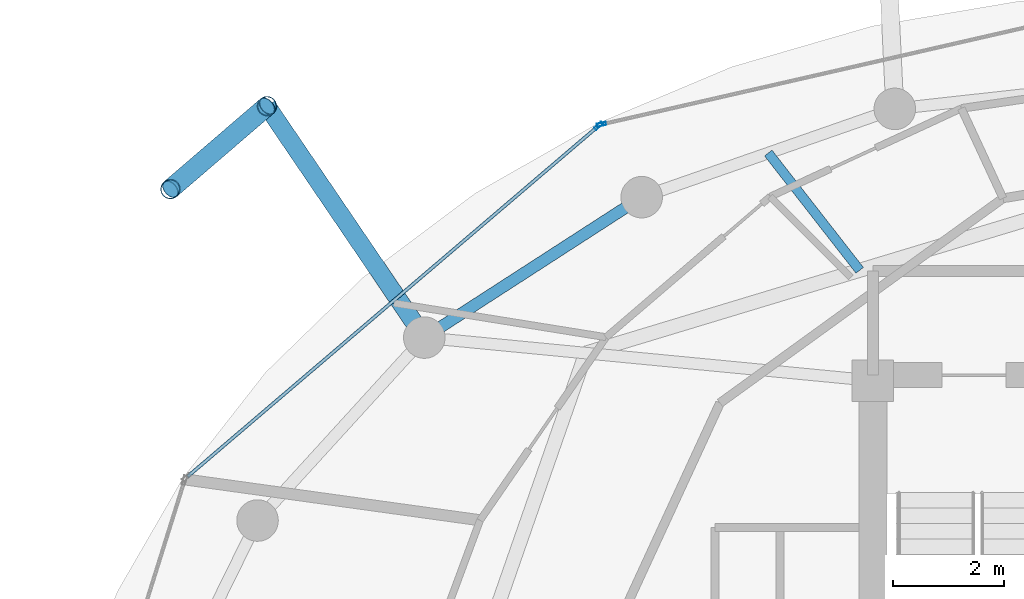
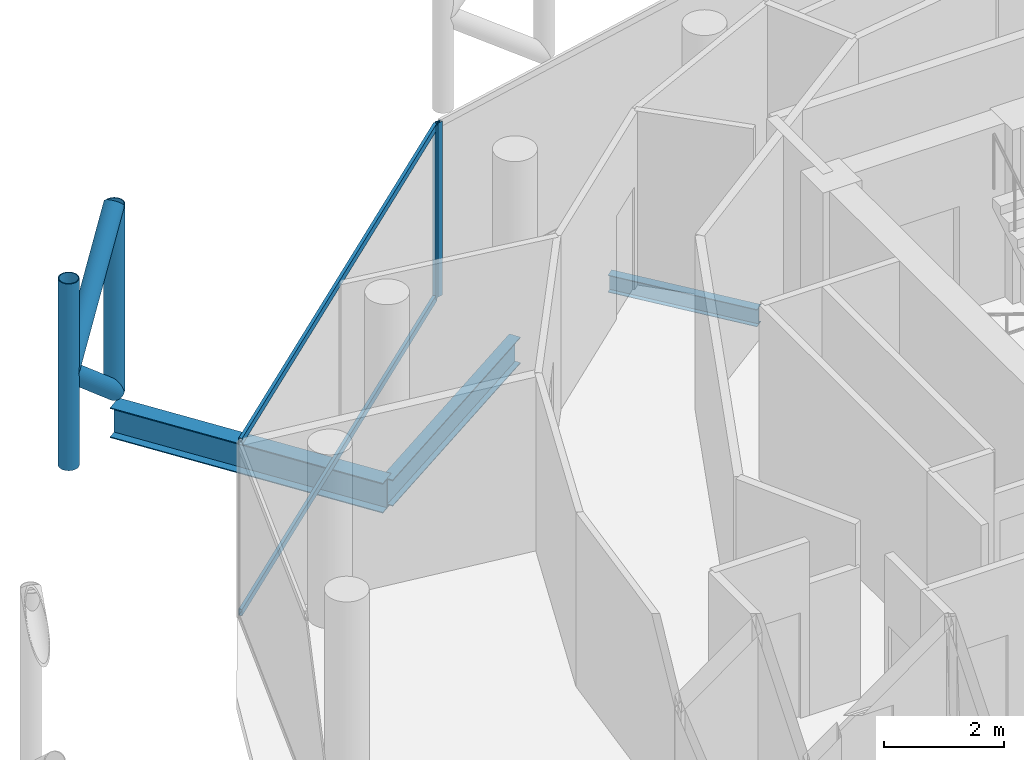
# One storey, part 15 of 24: 8 members, 3 beams, 2 elements without a shape of their own.
"""IFC4 building model written with IfcOpenShell, lengths in metres."""

from ifc_helpers import new_model, si_unit, direction, frame, origin, origin_2d, place, context, subcontext, project, spatial, hollow_rectangle, hollow_circle, i_section, extrude, material, layer, layer_set, material_profile, profile_set, type_object, element, aggregate, save


model = new_model("IFC4")

# Units and contexts
model_context = context("Model", 3, precision=1e-05, world=origin(), true_north=direction((0.0, 1.0)))
body_context = subcontext(model_context, "Body", "Model", "MODEL_VIEW")
ifc_project = project(units=[si_unit("LENGTHUNIT", "METRE"), si_unit("AREAUNIT", "SQUARE_METRE"), si_unit("VOLUMEUNIT", "CUBIC_METRE"), si_unit("PLANEANGLEUNIT", "RADIAN"), si_unit("MASSUNIT", "GRAM", prefix="KILO")], contexts=[model_context])

# Site, building, storey
site_placement = place(None, origin())
site = spatial("IfcSite", under=ifc_project, at=site_placement, CompositionType="ELEMENT")
building_placement = place(site_placement, origin())
building = spatial("IfcBuilding", under=site, at=building_placement, Name="Nuhasar Tower", CompositionType="ELEMENT")
storey_placement = place(building_placement, frame((0.0, 0.0, 270.800048828125)))
storey = spatial("IfcBuildingStorey", under=building, at=storey_placement, Name="L67", CompositionType="ELEMENT", Elevation=270.800048828125)

# Beams
ifc_material_1 = material(Name="Steel S355", Category="steel")
ifc_material_profile_1 = material_profile(ifc_material_1, i_section(OverallWidth=0.1708984375, OverallDepth=0.35205078125, WebThickness=0.0068359375, FlangeThickness=0.009765625, at=origin_2d()), Name="W14X30")
ifc_profile_set_1 = profile_set([ifc_material_profile_1], Name="Steel S355")
beam_type_1 = type_object("IfcBeamType", Name="BM-JST-W14X30", PredefinedType="JOIST", material=ifc_profile_set_1)
beam_1_placement = place(storey_placement, frame((33.4609375, 39.29296875, -0.43603515625), z_axis=(-0.614953767351, 0.788563164256, 0.0), x_axis=(-0.788563164256, -0.614953767351, 0.0)))
element("IfcBeam", 1, at=beam_1_placement, inside=storey, type_object=beam_type_1, Name="L67 Secondary Floor Joist 06", PredefinedType="JOIST", context=body_context, shape_type="SweptSolid", body=[
    extrude(i_section(OverallWidth=0.1708984375, OverallDepth=0.35205078125, WebThickness=0.0068359375, FlangeThickness=0.009765625, at=origin_2d()), origin(), (0.0, 0.0, 1.0), 2.6845703125),
])
ifc_material_profile_2 = material_profile(ifc_material_1, i_section(OverallWidth=0.2099609375, OverallDepth=0.537109375, WebThickness=0.010986328125, FlangeThickness=0.017333984375, at=origin_2d()), Name="W21X68")
ifc_profile_set_2 = profile_set([ifc_material_profile_2], Name="Steel S355")
beam_type_2 = type_object("IfcBeamType", Name="BM-RING-W21X68", PredefinedType="SPANDREL", material=ifc_profile_set_2)
beam_2_placement = place(storey_placement, frame((29.52490234375, 40.613037109375, -0.528076171875), z_axis=(-0.840001671147, -0.54258381147, 0.0), x_axis=(0.54258381147, -0.840001671147, 0.0)))
element("IfcBeam", 2, at=beam_2_placement, inside=storey, type_object=beam_type_2, Name="L67 Perimeter Ring Spandrel 09", PredefinedType="SPANDREL", context=body_context, shape_type="SweptSolid", body=[
    extrude(i_section(OverallWidth=0.2099609375, OverallDepth=0.537109375, WebThickness=0.010986328125, FlangeThickness=0.017333984375, at=origin_2d()), origin(), (0.0, 0.0, 1.0), 4.67236328125),
])
ifc_material_profile_3 = material_profile(ifc_material_1, i_section(OverallWidth=0.323974609375, OverallDepth=0.611083984375, WebThickness=0.0126953125, FlangeThickness=0.01904296875, at=origin_2d()), Name="W24X104")
ifc_profile_set_3 = profile_set([ifc_material_profile_3], Name="Steel S355")
beam_type_3 = type_object("IfcBeamType", Name="BM-TIE-W24X104", PredefinedType="BEAM", material=ifc_profile_set_3)
beam_3_placement = place(storey_placement, frame((25.60009765625, 38.077880859375, -0.56494140625), z_axis=(-0.562070792096, 0.827089127405, 0.0), x_axis=(-0.827089127405, -0.562070792096, 0.0)))
element("IfcBeam", 3, at=beam_3_placement, inside=storey, type_object=beam_type_3, Name="L67 Exoskeleton Node Tie Beam 05", PredefinedType="BEAM", context=body_context, shape_type="SweptSolid", body=[
    extrude(i_section(OverallWidth=0.323974609375, OverallDepth=0.611083984375, WebThickness=0.0126953125, FlangeThickness=0.01904296875, at=origin_2d()), origin(), (0.0, 0.0, 1.0), 5.052978515625),
])

# Curtain wall, member
ifc_material_2 = material(Name="Aluminium 6063-T6", Category="aluminium")
ifc_layer = layer(ifc_material_2, 0.18994140625)
ifc_layer_set = layer_set([ifc_layer], Name="Aluminium 6063-T6")
curtain_wall_type = type_object("IfcCurtainWallType", Name="CW-Z4-PEN", PredefinedType="NOTDEFINED", material=ifc_layer_set)
curtain_wall_1_placement = place(storey_placement, origin())
curtain_wall_1 = element("IfcCurtainWall", 4, at=curtain_wall_1_placement, inside=storey, type_object=curtain_wall_type, Name="L67 Unitised Curtain Wall 04", PredefinedType="NOTDEFINED")
ifc_material_profile_4 = material_profile(ifc_material_2, hollow_rectangle(XDim=0.06005859375, YDim=0.1650390625, WallThickness=0.0048828125, at=origin_2d()), Name="CWM-5")
ifc_profile_set_4 = profile_set([ifc_material_profile_4], Name="Aluminium 6063-T6")
member_type_1 = type_object("IfcMemberType", Name="CW-MUL-S5", PredefinedType="MULLION", material=ifc_profile_set_4)
member_1_placement = place(storey_placement, frame((28.79931640625, 41.927734375, 0.0), z_axis=(0.0, 0.0, 1.0), x_axis=(0.222889487645, -0.97484371891, 0.0)))
member_1 = element("IfcMember", 5, at=member_1_placement, type_object=member_type_1, Name="CW-Z4 mullion 2", PredefinedType="MULLION", context=body_context, shape_type="SweptSolid", body=[
    extrude(hollow_rectangle(XDim=0.06005859375, YDim=0.1650390625, WallThickness=0.0048828125, at=origin_2d()), origin(), (0.0, 0.0, 1.0), 3.5400390625),
])
aggregate(curtain_wall_1, [member_1])

# Curtain wall, members
curtain_wall_2_placement = place(storey_placement, origin())
curtain_wall_2 = element("IfcCurtainWall", 6, at=curtain_wall_2_placement, inside=storey, type_object=curtain_wall_type, Name="L67 Unitised Curtain Wall 05", PredefinedType="NOTDEFINED")
member_2_placement = place(storey_placement, frame((28.7470703125, 41.901611328125, 0.0), z_axis=(0.0, 0.0, 1.0), x_axis=(0.649141996205, -0.760667252327, 0.0)))
member_2 = element("IfcMember", 7, at=member_2_placement, type_object=member_type_1, Name="CW-Z4 mullion 1", PredefinedType="MULLION", context=body_context, shape_type="SweptSolid", body=[
    extrude(hollow_rectangle(XDim=0.06005859375, YDim=0.1650390625, WallThickness=0.0048828125, at=origin_2d()), origin(), (0.0, 0.0, 1.0), 3.5400390625),
])
ifc_material_profile_5 = material_profile(ifc_material_2, hollow_rectangle(XDim=0.06005859375, YDim=0.135009765625, WallThickness=0.00439453125, at=origin_2d()), Name="CWT-5")
ifc_profile_set_5 = profile_set([ifc_material_profile_5], Name="Aluminium 6063-T6")
member_type_2 = type_object("IfcMemberType", Name="CW-TRN-S5", PredefinedType="USERDEFINED", material=ifc_profile_set_5)
member_3_placement = place(storey_placement, frame((28.724365234375, 41.882080078125, 0.030029296875), z_axis=(-0.760660035709, -0.649150452573, 0.0), x_axis=(0.649150452573, -0.760660035709, 0.0)))
member_3 = element("IfcMember", 8, at=member_3_placement, type_object=member_type_2, Name="CW-Z4 transom 1.1", ObjectType="TRANSOM", PredefinedType="USERDEFINED", context=body_context, shape_type="SweptSolid", body=[
    extrude(hollow_rectangle(XDim=0.06005859375, YDim=0.135009765625, WallThickness=0.00439453125, at=origin_2d()), origin(), (0.0, 0.0, 1.0), 9.725341796875),
])
member_4_placement = place(storey_placement, frame((28.724365234375, 41.882080078125, 3.510009765625), z_axis=(-0.760660035709, -0.649150452573, 0.0), x_axis=(0.649150452573, -0.760660035709, 0.0)))
member_4 = element("IfcMember", 9, at=member_4_placement, type_object=member_type_2, Name="CW-Z4 transom 1.2", ObjectType="TRANSOM", PredefinedType="USERDEFINED", context=body_context, shape_type="SweptSolid", body=[
    extrude(hollow_rectangle(XDim=0.06005859375, YDim=0.135009765625, WallThickness=0.00439453125, at=origin_2d()), origin(), (0.0, 0.0, 1.0), 9.725341796875),
])
aggregate(curtain_wall_2, [member_2, member_3, member_4])

# Members
ifc_material_3 = material(Name="Steel S460", Category="steel")
ifc_material_profile_6 = material_profile(ifc_material_3, hollow_circle(Radius=0.177734375, WallThickness=0.015869140625, at=origin_2d()), Name="HSS355.6X15.9")
ifc_profile_set_6 = profile_set([ifc_material_profile_6], Name="Steel S460")
member_type_3 = type_object("IfcMemberType", Name="EXO-BRONZE-356", PredefinedType="BRACE", material=ifc_profile_set_6)
for number, where, z_axis, x_axis, name in (
    (10, (22.760009765625, 42.257080078125, 0.0), (0.0, 0.0, 1.0), (1.0, 0.0, 0.0), "L67 Exoskeleton Chord Column EC-05A"),
    (11, (21.01611328125, 40.758056640625, 0.0), (0.0, 0.0, 1.0), (1.0, 0.0, 0.0), "L67 Exoskeleton Chord Column EC-05B"),
):
    element("IfcMember", number, at=place(storey_placement, frame(where, z_axis=z_axis, x_axis=x_axis)), inside=storey, type_object=member_type_3, Name=name, PredefinedType="BRACE", context=body_context, shape_type="SweptSolid", body=[
        extrude(hollow_circle(Radius=0.177734375, WallThickness=0.015869140625, at=origin_2d()), origin(), (0.0, 0.0, 1.0), 3.800048828125),
    ])
member_5_placement = place(storey_placement, frame((22.760009765625, 42.257080078125, 0.0), z_axis=(-0.584625223306, -0.502533791278, 0.636924749792), x_axis=(0.65185738425, -0.758341579104, 0.0)))
element("IfcMember", 12, at=member_5_placement, inside=storey, type_object=member_type_3, Name="L67 Bronze Diagrid Brace W1-05", PredefinedType="BRACE", context=body_context, shape_type="SweptSolid", body=[
    extrude(hollow_circle(Radius=0.177734375, WallThickness=0.015869140625, at=origin_2d()), origin(), (0.0, 0.0, 1.0), 2.98291015625),
])
member_6_placement = place(storey_placement, frame((21.01611328125, 40.758056640625, 1.89990234375), z_axis=(0.584594747408, 0.50250759472, 0.636973389203), x_axis=(-0.65185738425, 0.758341579104, 0.0)))
element("IfcMember", 13, at=member_6_placement, inside=storey, type_object=member_type_3, Name="L67 Bronze Diagrid Brace W2-05", PredefinedType="BRACE", context=body_context, shape_type="SweptSolid", body=[
    extrude(hollow_circle(Radius=0.177734375, WallThickness=0.015869140625, at=origin_2d()), origin(), (0.0, 0.0, 1.0), 2.983154296875),
])

save(model, "model.ifc")
